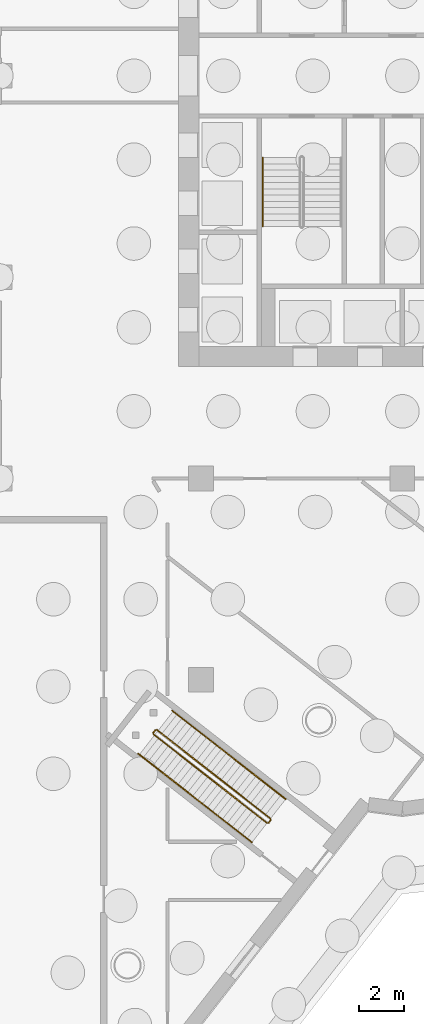
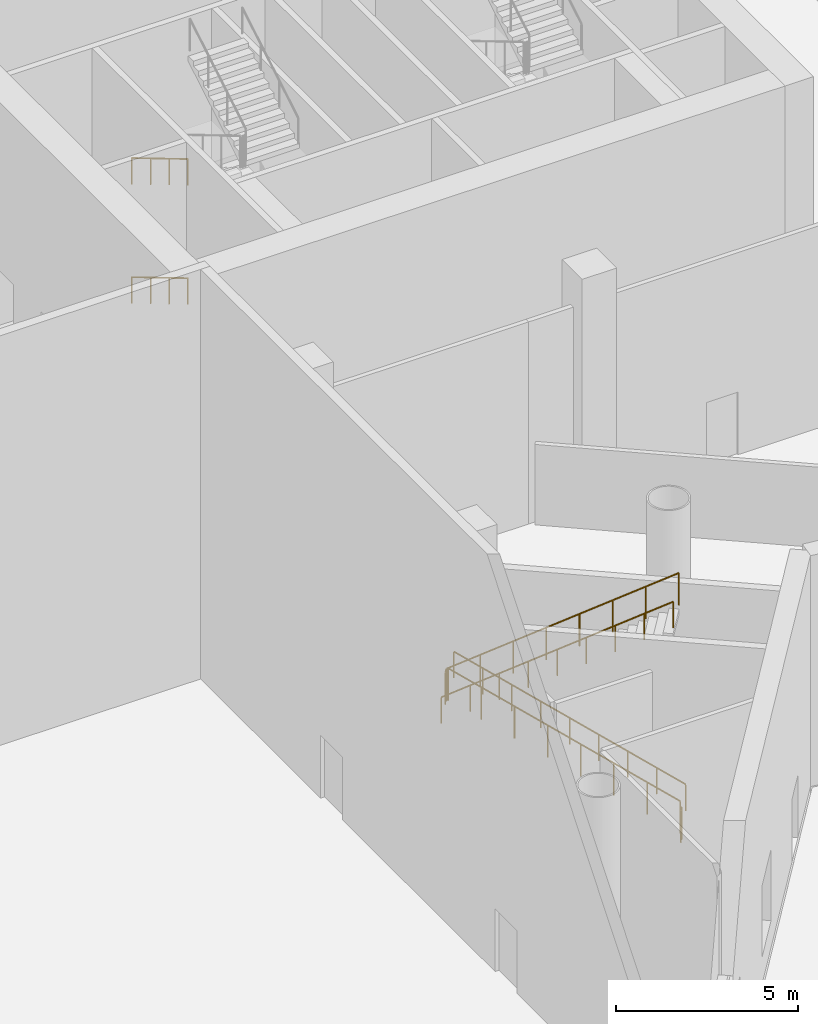
# One storey, part 28 of 34: 14 railings.
"""IFC4 building model written with IfcOpenShell, lengths in metres."""

from ifc_helpers import new_model, si_unit, direction, frame, origin, origin_2d, place, context, subcontext, project, spatial, circle, extrude, material, type_object, element, save


model = new_model("IFC4")

# Units and contexts
model_context = context("Model", 3, precision=1e-05, world=origin(), true_north=direction((0.0, 1.0)))
body_context = subcontext(model_context, "Body", "Model", "MODEL_VIEW")
ifc_project = project(units=[si_unit("LENGTHUNIT", "METRE"), si_unit("AREAUNIT", "SQUARE_METRE"), si_unit("VOLUMEUNIT", "CUBIC_METRE"), si_unit("PLANEANGLEUNIT", "RADIAN"), si_unit("MASSUNIT", "GRAM", prefix="KILO")], contexts=[model_context])

# Site, building, storey
site_placement = place(None, origin())
site = spatial("IfcSite", under=ifc_project, at=site_placement, CompositionType="ELEMENT")
building_placement = place(site_placement, origin())
building = spatial("IfcBuilding", under=site, at=building_placement, Name="Tarsis Ring Headquarters", CompositionType="ELEMENT")
storey_placement = place(building_placement, origin())
storey = spatial("IfcBuildingStorey", under=building, at=storey_placement, Name="L00", CompositionType="ELEMENT", Elevation=0.0)

# Railings
ifc_material_1 = material(Name="Steel S355", Category="steel")
railing_type_1 = type_object("IfcRailingType", Name="Core stair handrail 900", PredefinedType="HANDRAIL", material=ifc_material_1)
for number, where, name in (
    (1, (-6.25, -3.659912109375, 0.166748046875), "L00 ST3 stair handrail 1"),
    (2, (-6.25, -3.659912109375, 4.166748046875), "L00 ST3 stair handrail 3"),
):
    element("IfcRailing", number, at=place(storey_placement, frame(where)), inside=storey, type_object=railing_type_1, Name=name, PredefinedType="HANDRAIL", context=body_context, shape_type="SweptSolid", body=[
        extrude(circle(Radius=0.02392578125, at=origin_2d()), frame((0.0, 0.0, 0.8759765625), z_axis=(0.0, -0.859308565015, 0.511457515432), x_axis=(1.0, 0.0, 0.0)), (0.0, 0.0, 1.0), 3.58447265625),
        extrude(circle(Radius=0.02099609375, at=origin_2d()), origin(), (0.0, 0.0, 1.0), 0.851806640625),
        extrude(circle(Radius=0.02099609375, at=origin_2d()), frame((0.0, -1.026611328125, 0.611083984375)), (0.0, 0.0, 1.0), 0.851806640625),
        extrude(circle(Radius=0.02099609375, at=origin_2d()), frame((0.0, -2.053466796875, 1.22216796875)), (0.0, 0.0, 1.0), 0.851806640625),
        extrude(circle(Radius=0.02099609375, at=origin_2d()), frame((0.0, -3.080078125, 1.833251953125)), (0.0, 0.0, 1.0), 0.851806640625),
    ])
ifc_material_2 = material(Name="Stainless steel", Category="steel")
railing_type_2 = type_object("IfcRailingType", Name="PO-RL-G", PredefinedType="GUARDRAIL", material=ifc_material_2)
railing_1_placement = place(storey_placement, frame((-5.8955078125, -33.202392578125, 0.166748046875)))
element("IfcRailing", 3, at=railing_1_placement, inside=storey, type_object=railing_type_2, Name="L00 PS2 stair guard 1", PredefinedType="GUARDRAIL", context=body_context, shape_type="SweptSolid", body=[
    extrude(circle(Radius=0.02392578125, at=origin_2d()), frame((0.0, 0.0, 1.076171875), z_axis=(-0.677376714953, 0.528734320496, 0.511469260434), x_axis=(-0.615307054353, -0.788287529309, 0.0)), (0.0, 0.0, 1.0), 7.49462890625),
    extrude(circle(Radius=0.02099609375, at=origin_2d()), origin(), (0.0, 0.0, 1.0), 1.052001953125),
    extrude(circle(Radius=0.02099609375, at=origin_2d()), frame((-0.725341796875, 0.566162109375, 0.547607421875)), (0.0, 0.0, 1.0), 1.052001953125),
    extrude(circle(Radius=0.02099609375, at=origin_2d()), frame((-1.450439453125, 1.132080078125, 1.09521484375)), (0.0, 0.0, 1.0), 1.052001953125),
    extrude(circle(Radius=0.02099609375, at=origin_2d()), frame((-2.17578125, 1.6982421875, 1.642822265625)), (0.0, 0.0, 1.0), 1.052001953125),
    extrude(circle(Radius=0.02099609375, at=origin_2d()), frame((-2.90087890625, 2.264404296875, 2.1904296875)), (0.0, 0.0, 1.0), 1.052001953125),
    extrude(circle(Radius=0.02099609375, at=origin_2d()), frame((-3.626220703125, 2.83056640625, 2.738037109375)), (0.0, 0.0, 1.0), 1.052001953125),
    extrude(circle(Radius=0.02099609375, at=origin_2d()), frame((-4.351318359375, 3.396484375, 3.28564453125)), (0.0, 0.0, 1.0), 1.052001953125),
    extrude(circle(Radius=0.02099609375, at=origin_2d()), frame((-5.07666015625, 3.962646484375, 3.833251953125)), (0.0, 0.0, 1.0), 1.052001953125),
])
railing_2_placement = place(storey_placement, frame((-11.042236328125, -29.24853515625, 4.0)))
element("IfcRailing", 4, at=railing_2_placement, inside=storey, type_object=railing_type_2, Name="L00 PS2 stair guard 2", PredefinedType="GUARDRAIL", context=body_context, shape_type="SweptSolid", body=[
    extrude(circle(Radius=0.02392578125, at=origin_2d()), frame((0.0, 0.0, 1.076171875), z_axis=(-0.615517636689, -0.788123111528, 0.0), x_axis=(0.788123111528, -0.615517636689, 0.0)), (0.0, 0.0, 1.0), 0.14990234375),
    extrude(circle(Radius=0.02099609375, at=origin_2d()), origin(), (0.0, 0.0, 1.0), 1.052001953125),
    extrude(circle(Radius=0.02099609375, at=origin_2d()), frame((-0.09228515625, -0.1181640625, 0.0)), (0.0, 0.0, 1.0), 1.052001953125),
])
railing_3_placement = place(storey_placement, frame((-11.1259765625, -29.436767578125, 4.166748046875)))
element("IfcRailing", 5, at=railing_3_placement, inside=storey, type_object=railing_type_2, Name="L00 PS2 stair guard 3", PredefinedType="GUARDRAIL", context=body_context, shape_type="SweptSolid", body=[
    extrude(circle(Radius=0.02392578125, at=origin_2d()), frame((0.0, 0.0, 1.076171875), z_axis=(0.677376714953, -0.528734320496, 0.511469260434), x_axis=(0.615307054353, 0.788287529309, 0.0)), (0.0, 0.0, 1.0), 7.49462890625),
    extrude(circle(Radius=0.02099609375, at=origin_2d()), origin(), (0.0, 0.0, 1.0), 1.052001953125),
    extrude(circle(Radius=0.02099609375, at=origin_2d()), frame((0.725341796875, -0.566162109375, 0.547607421875)), (0.0, 0.0, 1.0), 1.052001953125),
    extrude(circle(Radius=0.02099609375, at=origin_2d()), frame((1.450439453125, -1.132080078125, 1.09521484375)), (0.0, 0.0, 1.0), 1.052001953125),
    extrude(circle(Radius=0.02099609375, at=origin_2d()), frame((2.17578125, -1.6982421875, 1.642822265625)), (0.0, 0.0, 1.0), 1.052001953125),
    extrude(circle(Radius=0.02099609375, at=origin_2d()), frame((2.90087890625, -2.264404296875, 2.1904296875)), (0.0, 0.0, 1.0), 1.052001953125),
    extrude(circle(Radius=0.02099609375, at=origin_2d()), frame((3.626220703125, -2.83056640625, 2.738037109375)), (0.0, 0.0, 1.0), 1.052001953125),
    extrude(circle(Radius=0.02099609375, at=origin_2d()), frame((4.351318359375, -3.396484375, 3.28564453125)), (0.0, 0.0, 1.0), 1.052001953125),
    extrude(circle(Radius=0.02099609375, at=origin_2d()), frame((5.07666015625, -3.962646484375, 3.833251953125)), (0.0, 0.0, 1.0), 1.052001953125),
])
railing_4_placement = place(storey_placement, frame((-5.886962890625, -33.272705078125, 0.0)))
element("IfcRailing", 6, at=railing_4_placement, inside=storey, type_object=railing_type_2, Name="L00 PS2 stair guard 4", PredefinedType="GUARDRAIL", context=body_context, shape_type="SweptSolid", body=[
    extrude(circle(Radius=0.02392578125, at=origin_2d()), frame((0.0, 0.0, 1.076171875), z_axis=(-0.615517636689, -0.788123111528, 0.0), x_axis=(0.788123111528, -0.615517636689, 0.0)), (0.0, 0.0, 1.0), 0.14990234375),
    extrude(circle(Radius=0.02099609375, at=origin_2d()), origin(), (0.0, 0.0, 1.0), 1.052001953125),
    extrude(circle(Radius=0.02099609375, at=origin_2d()), frame((-0.09228515625, -0.1181640625, 0.0)), (0.0, 0.0, 1.0), 1.052001953125),
])
railing_type_3 = type_object("IfcRailingType", Name="PO-RL-H", PredefinedType="HANDRAIL", material=ifc_material_2)
railing_5_placement = place(storey_placement, frame((-5.21875, -32.33544921875, 0.166748046875)))
element("IfcRailing", 7, at=railing_5_placement, inside=storey, type_object=railing_type_3, Name="L00 PS2 stair handrail 1", PredefinedType="HANDRAIL", context=body_context, shape_type="SweptSolid", body=[
    extrude(circle(Radius=0.02392578125, at=origin_2d()), frame((0.0, 0.0, 0.8759765625), z_axis=(-0.677341073658, 0.528789933995, 0.511458967701), x_axis=(-0.61536738657, -0.788240432575, 0.0)), (0.0, 0.0, 1.0), 1.87353515625),
    extrude(circle(Radius=0.02099609375, at=origin_2d()), origin(), (0.0, 0.0, 1.0), 0.851806640625),
    extrude(circle(Radius=0.02099609375, at=origin_2d()), frame((-0.634521484375, 0.495361328125, 0.47900390625)), (0.0, 0.0, 1.0), 0.851806640625),
    extrude(circle(Radius=0.02099609375, at=origin_2d()), frame((-1.26904296875, 0.99072265625, 0.958251953125)), (0.0, 0.0, 1.0), 0.851806640625),
])
railing_6_placement = place(storey_placement, frame((-6.48779296875, -31.3447265625, 1.125)))
element("IfcRailing", 8, at=railing_6_placement, inside=storey, type_object=railing_type_3, Name="L00 PS2 stair handrail 1 bay 2", PredefinedType="HANDRAIL", context=body_context, shape_type="SweptSolid", body=[
    extrude(circle(Radius=0.02392578125, at=origin_2d()), frame((0.0, 0.0, 0.8759765625), z_axis=(-0.677411588203, 0.528743263113, 0.511413826447), x_axis=(-0.615293837104, -0.788297846009, 0.0)), (0.0, 0.0, 1.0), 1.873779296875),
    extrude(circle(Radius=0.02099609375, at=origin_2d()), frame((-0.634765625, 0.495361328125, 0.47900390625)), (0.0, 0.0, 1.0), 0.851806640625),
    extrude(circle(Radius=0.02099609375, at=origin_2d()), frame((-1.269287109375, 0.99072265625, 0.958251953125)), (0.0, 0.0, 1.0), 0.851806640625),
])
railing_7_placement = place(storey_placement, frame((-7.757080078125, -30.35400390625, 2.083251953125)))
element("IfcRailing", 9, at=railing_7_placement, inside=storey, type_object=railing_type_3, Name="L00 PS2 stair handrail 1 bay 3", PredefinedType="HANDRAIL", context=body_context, shape_type="SweptSolid", body=[
    extrude(circle(Radius=0.02392578125, at=origin_2d()), frame((0.0, 0.0, 0.8759765625), z_axis=(-0.677295929532, 0.528754690658, 0.511555178789), x_axis=(-0.61536738657, -0.788240432575, 0.0)), (0.0, 0.0, 1.0), 1.873779296875),
    extrude(circle(Radius=0.02099609375, at=origin_2d()), frame((-0.634521484375, 0.495361328125, 0.479248046875)), (0.0, 0.0, 1.0), 0.851806640625),
    extrude(circle(Radius=0.02099609375, at=origin_2d()), frame((-1.26904296875, 0.99072265625, 0.95849609375)), (0.0, 0.0, 1.0), 0.851806640625),
])
railing_8_placement = place(storey_placement, frame((-9.026123046875, -29.36328125, 3.041748046875)))
element("IfcRailing", 10, at=railing_8_placement, inside=storey, type_object=railing_type_3, Name="L00 PS2 stair handrail 1 bay 4", PredefinedType="HANDRAIL", context=body_context, shape_type="SweptSolid", body=[
    extrude(circle(Radius=0.02392578125, at=origin_2d()), frame((0.0, 0.0, 0.8759765625), z_axis=(-0.677341073658, 0.528789933995, 0.511458967701), x_axis=(-0.61536738657, -0.788240432575, 0.0)), (0.0, 0.0, 1.0), 1.87353515625),
    extrude(circle(Radius=0.02099609375, at=origin_2d()), frame((-0.634521484375, 0.495361328125, 0.47900390625)), (0.0, 0.0, 1.0), 0.851806640625),
    extrude(circle(Radius=0.02099609375, at=origin_2d()), frame((-1.26904296875, 0.99072265625, 0.958251953125)), (0.0, 0.0, 1.0), 0.851806640625),
])
railing_9_placement = place(storey_placement, frame((-11.802734375, -30.303955078125, 4.166748046875)))
element("IfcRailing", 11, at=railing_9_placement, inside=storey, type_object=railing_type_3, Name="L00 PS2 stair handrail 2", PredefinedType="HANDRAIL", context=body_context, shape_type="SweptSolid", body=[
    extrude(circle(Radius=0.02392578125, at=origin_2d()), frame((0.0, 0.0, 0.8759765625), z_axis=(0.677341073658, -0.528789933995, 0.511458967701), x_axis=(0.61536738657, 0.788240432575, 0.0)), (0.0, 0.0, 1.0), 1.87353515625),
    extrude(circle(Radius=0.02099609375, at=origin_2d()), origin(), (0.0, 0.0, 1.0), 0.851806640625),
    extrude(circle(Radius=0.02099609375, at=origin_2d()), frame((0.634521484375, -0.495361328125, 0.47900390625)), (0.0, 0.0, 1.0), 0.851806640625),
    extrude(circle(Radius=0.02099609375, at=origin_2d()), frame((1.26904296875, -0.99072265625, 0.958251953125)), (0.0, 0.0, 1.0), 0.851806640625),
])
railing_10_placement = place(storey_placement, frame((-10.53369140625, -31.294677734375, 5.125)))
element("IfcRailing", 12, at=railing_10_placement, inside=storey, type_object=railing_type_3, Name="L00 PS2 stair handrail 2 bay 2", PredefinedType="HANDRAIL", context=body_context, shape_type="SweptSolid", body=[
    extrude(circle(Radius=0.02392578125, at=origin_2d()), frame((0.0, 0.0, 0.8759765625), z_axis=(0.677458256466, -0.52864938382, 0.511449058786), x_axis=(0.61519960216, 0.788371390591, 0.0)), (0.0, 0.0, 1.0), 1.87353515625),
    extrude(circle(Radius=0.02099609375, at=origin_2d()), frame((0.634765625, -0.4951171875, 0.47900390625)), (0.0, 0.0, 1.0), 0.851806640625),
    extrude(circle(Radius=0.02099609375, at=origin_2d()), frame((1.269287109375, -0.990478515625, 0.958251953125)), (0.0, 0.0, 1.0), 0.851806640625),
])
railing_11_placement = place(storey_placement, frame((-9.264404296875, -32.28515625, 6.083251953125)))
element("IfcRailing", 13, at=railing_11_placement, inside=storey, type_object=railing_type_3, Name="L00 PS2 stair handrail 2 bay 3", PredefinedType="HANDRAIL", context=body_context, shape_type="SweptSolid", body=[
    extrude(circle(Radius=0.02392578125, at=origin_2d()), frame((0.0, 0.0, 0.8759765625), z_axis=(0.677295929532, -0.528754690658, 0.511555178789), x_axis=(0.61536738657, 0.788240432575, 0.0)), (0.0, 0.0, 1.0), 1.873779296875),
    extrude(circle(Radius=0.02099609375, at=origin_2d()), frame((0.634521484375, -0.495361328125, 0.479248046875)), (0.0, 0.0, 1.0), 0.851806640625),
    extrude(circle(Radius=0.02099609375, at=origin_2d()), frame((1.26904296875, -0.99072265625, 0.95849609375)), (0.0, 0.0, 1.0), 0.851806640625),
])
railing_12_placement = place(storey_placement, frame((-7.995361328125, -33.27587890625, 7.041748046875)))
element("IfcRailing", 14, at=railing_12_placement, inside=storey, type_object=railing_type_3, Name="L00 PS2 stair handrail 2 bay 4", PredefinedType="HANDRAIL", context=body_context, shape_type="SweptSolid", body=[
    extrude(circle(Radius=0.02392578125, at=origin_2d()), frame((0.0, 0.0, 0.8759765625), z_axis=(0.677341073658, -0.528789933995, 0.511458967701), x_axis=(0.61536738657, 0.788240432575, 0.0)), (0.0, 0.0, 1.0), 1.87353515625),
    extrude(circle(Radius=0.02099609375, at=origin_2d()), frame((0.634521484375, -0.495361328125, 0.47900390625)), (0.0, 0.0, 1.0), 0.851806640625),
    extrude(circle(Radius=0.02099609375, at=origin_2d()), frame((1.26904296875, -0.99072265625, 0.958251953125)), (0.0, 0.0, 1.0), 0.851806640625),
])

save(model, "model.ifc")
